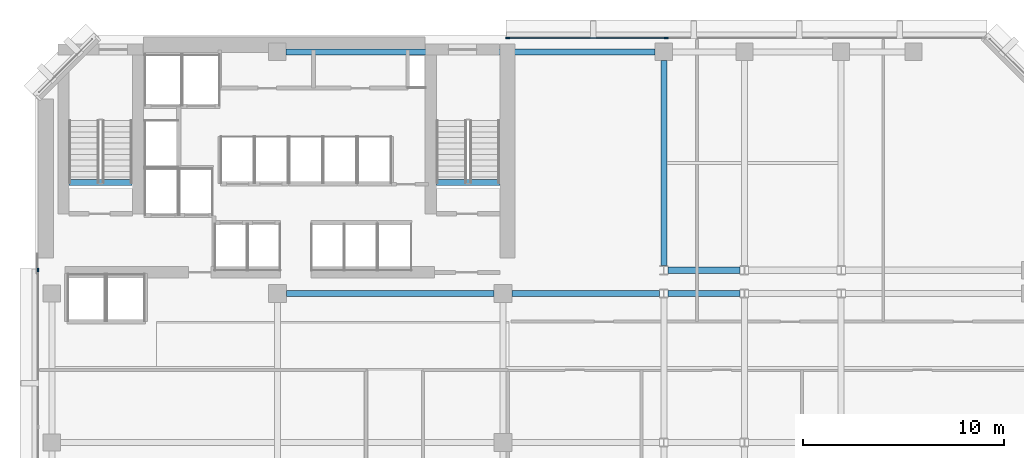
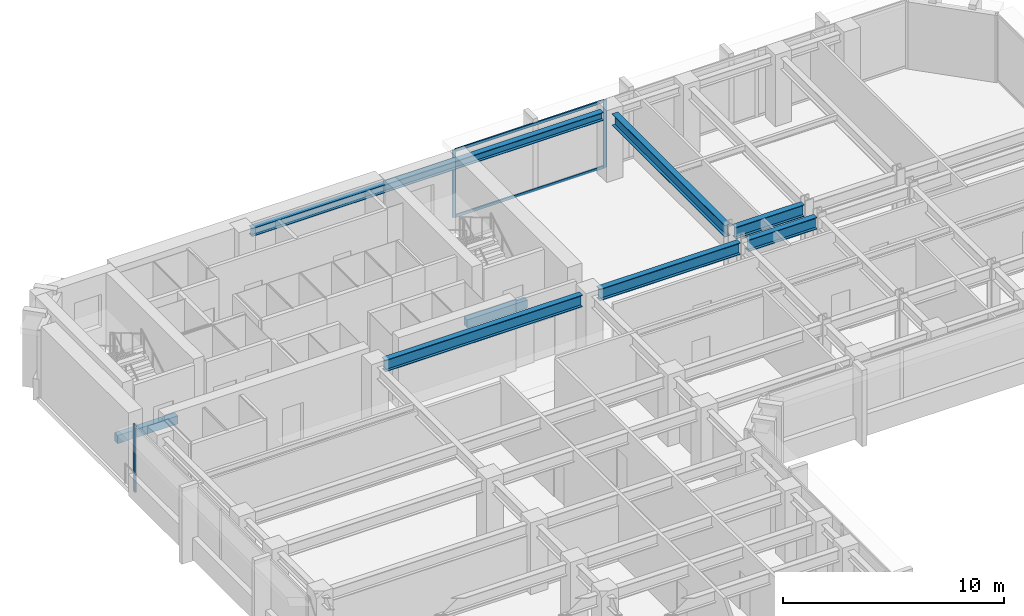
# One storey, part 4 of 12: 8 beams, 5 members, 2 elements without a shape of their own.
"""IFC4 building model written with IfcOpenShell, lengths in metres."""

from ifc_helpers import new_model, si_unit, direction, frame, origin, origin_2d, place, context, subcontext, project, spatial, rectangle, i_section, extrude, material, layer, layer_set, material_profile, profile_set, type_object, element, aggregate, save


model = new_model("IFC4")

# Units and contexts
model_context = context("Model", 3, precision=1e-05, world=origin(), true_north=direction((0.0, 1.0)))
body_context = subcontext(model_context, "Body", "Model", "MODEL_VIEW")
ifc_project = project(units=[si_unit("LENGTHUNIT", "METRE"), si_unit("AREAUNIT", "SQUARE_METRE"), si_unit("VOLUMEUNIT", "CUBIC_METRE"), si_unit("PLANEANGLEUNIT", "RADIAN"), si_unit("MASSUNIT", "GRAM", prefix="KILO")], contexts=[model_context])

# Site, building, storey
site_placement = place(None, origin())
site = spatial("IfcSite", under=ifc_project, at=site_placement, CompositionType="ELEMENT")
building_placement = place(site_placement, origin())
building = spatial("IfcBuilding", under=site, at=building_placement, Name="Kefirva Bronze Tower", CompositionType="ELEMENT")
storey_placement = place(building_placement, frame((0.0, 0.0, 122.429931640625)))
storey = spatial("IfcBuildingStorey", under=building, at=storey_placement, Name="L29", CompositionType="ELEMENT", Elevation=122.429931640625)

# Curtain wall, members
ifc_material_1 = material(Name="Bronze anodised aluminium", Category="aluminium")
ifc_layer = layer(ifc_material_1, 0.199951171875, Name="Bronze anodised aluminium")
ifc_layer_set = layer_set([ifc_layer], Name="Bronze anodised aluminium")
curtain_wall_type = type_object("IfcCurtainWallType", Name="Unitised Bronze Ribbon Curtain Wall Zone 2", PredefinedType="USERDEFINED", material=ifc_layer_set)
curtain_wall_1_placement = place(storey_placement, origin())
curtain_wall_1 = element("IfcCurtainWall", 1, at=curtain_wall_1_placement, inside=storey, type_object=curtain_wall_type, Name="L29 Curtain Wall 5", ObjectType="UNITISED CURTAIN WALL", PredefinedType="USERDEFINED")
ifc_material_profile_1 = material_profile(ifc_material_1, rectangle(XDim=0.074951171875, YDim=0.179931640625, at=origin_2d()), Name="ALU 75x180")
ifc_profile_set_1 = profile_set([ifc_material_profile_1], Name="Bronze anodised aluminium")
member_type_1 = type_object("IfcMemberType", Name="Bronze Mullion 75x180", PredefinedType="MULLION", material=ifc_profile_set_1)
member_1_placement = place(storey_placement, frame((31.318359375, 45.8798828125, 0.0), z_axis=(0.0, 0.0, 1.0), x_axis=(0.0, -1.0, 0.0)))
member_1 = element("IfcMember", 2, at=member_1_placement, type_object=member_type_1, Name="CW-02 mullion 3", PredefinedType="MULLION", context=body_context, shape_type="SweptSolid", body=[
    extrude(rectangle(XDim=0.074951171875, YDim=0.179931640625, at=origin_2d()), origin(), (0.0, 0.0, 1.0), 3.7099609375),
])
member_2_placement = place(storey_placement, frame((23.4423828125, 45.8798828125, 0.0), z_axis=(0.0, 0.0, 1.0), x_axis=(0.0, -1.0, 0.0)))
member_2 = element("IfcMember", 3, at=member_2_placement, type_object=member_type_1, Name="CW-02 mullion 4", PredefinedType="MULLION", context=body_context, shape_type="SweptSolid", body=[
    extrude(rectangle(XDim=0.074951171875, YDim=0.179931640625, at=origin_2d()), origin(), (0.0, 0.0, 1.0), 3.7099609375),
])

# Curtain wall, member
curtain_wall_2_placement = place(storey_placement, origin())
curtain_wall_2 = element("IfcCurtainWall", 4, at=curtain_wall_2_placement, inside=storey, type_object=curtain_wall_type, Name="L29 Curtain Wall 6", ObjectType="UNITISED CURTAIN WALL", PredefinedType="USERDEFINED")
member_3_placement = place(storey_placement, frame((0.1201171875, 34.357421875, 0.0), z_axis=(0.0, 0.0, 1.0), x_axis=(1.0, 0.0, 0.0)))
member_3 = element("IfcMember", 5, at=member_3_placement, type_object=member_type_1, Name="CW-02 mullion 1", PredefinedType="MULLION", context=body_context, shape_type="SweptSolid", body=[
    extrude(rectangle(XDim=0.074951171875, YDim=0.179931640625, at=origin_2d()), origin(), (0.0, 0.0, 1.0), 3.7099609375),
])
aggregate(curtain_wall_2, [member_3])

# Member
ifc_material_profile_2 = material_profile(ifc_material_1, rectangle(XDim=0.074951171875, YDim=0.14990234375, at=origin_2d()), Name="ALU 75x150")
ifc_profile_set_2 = profile_set([ifc_material_profile_2], Name="Bronze anodised aluminium")
member_type_2 = type_object("IfcMemberType", Name="Bronze Transom 75x150", PredefinedType="USERDEFINED", material=ifc_profile_set_2)
member_4_placement = place(storey_placement, frame((31.28076171875, 45.8798828125, 0.03759765625), z_axis=(-1.0, 0.0, 0.0), x_axis=(0.0, -1.0, 0.0)))
member_4 = element("IfcMember", 6, at=member_4_placement, type_object=member_type_2, Name="CW-02 transom 3.1", ObjectType="TRANSOM", PredefinedType="USERDEFINED", context=body_context, shape_type="SweptSolid", body=[
    extrude(rectangle(XDim=0.074951171875, YDim=0.14990234375, at=origin_2d()), origin(), (0.0, 0.0, 1.0), 7.80078125),
])

member_5_placement = place(storey_placement, frame((31.28076171875, 45.8798828125, 3.672607421875), z_axis=(-1.0, 0.0, 0.0), x_axis=(0.0, -1.0, 0.0)))
member_5 = element("IfcMember", 7, at=member_5_placement, type_object=member_type_2, Name="CW-02 transom 3.2", ObjectType="TRANSOM", PredefinedType="USERDEFINED", context=body_context, shape_type="SweptSolid", body=[
    extrude(rectangle(XDim=0.074951171875, YDim=0.14990234375, at=origin_2d()), origin(), (0.0, 0.0, 1.0), 7.80078125),
])

aggregate(curtain_wall_1, [member_1, member_2, member_4, member_5])

# Beams
ifc_material_2 = material(Name="Concrete C50/60", Category="concrete")
ifc_material_profile_3 = material_profile(ifc_material_2, rectangle(XDim=0.300048828125, YDim=0.449951171875, at=origin_2d()), Name="RC 300x450")
ifc_profile_set_3 = profile_set([ifc_material_profile_3], Name="Concrete C50/60")
beam_type_1 = type_object("IfcBeamType", Name="RC Stair Trimmer Beam 300x450", PredefinedType="BEAM", material=ifc_profile_set_3)
beam_1_placement = place(storey_placement, frame((1.64501953125, 38.699951171875, -0.224853515625), z_axis=(1.0, 0.0, 0.0), x_axis=(0.0, 1.0, 0.0)))
element("IfcBeam", 8, at=beam_1_placement, inside=storey, type_object=beam_type_1, Name="L29 Stair 1 Landing Trimmer Beam", PredefinedType="BEAM", context=body_context, shape_type="SweptSolid", body=[
    extrude(rectangle(XDim=0.300048828125, YDim=0.449951171875, at=origin_2d()), origin(), (0.0, 0.0, 1.0), 3.14990234375),
])
beam_2_placement = place(storey_placement, frame((19.89501953125, 38.699951171875, -0.224853515625), z_axis=(1.0, 0.0, 0.0), x_axis=(0.0, 1.0, 0.0)))
element("IfcBeam", 9, at=beam_2_placement, inside=storey, type_object=beam_type_1, Name="L29 Stair 2 Landing Trimmer Beam", PredefinedType="BEAM", context=body_context, shape_type="SweptSolid", body=[
    extrude(rectangle(XDim=0.300048828125, YDim=0.449951171875, at=origin_2d()), origin(), (0.0, 0.0, 1.0), 3.159912109375),
])
ifc_material_3 = material(Name="Steel S355", Category="steel")
ifc_material_profile_4 = material_profile(ifc_material_3, i_section(OverallWidth=0.300048828125, OverallDepth=0.64990234375, WebThickness=0.01611328125, FlangeThickness=0.031005859375, at=origin_2d()), Name="HEB 650")
ifc_profile_set_4 = profile_set([ifc_material_profile_4], Name="Steel S355")
beam_type_2 = type_object("IfcBeamType", Name="Steel Girder HEB 650", PredefinedType="USERDEFINED", material=ifc_profile_set_4)
beam_3_placement = place(storey_placement, frame((12.449951171875, 33.199951171875, 3.385009765625), z_axis=(1.0, 0.0, 0.0), x_axis=(0.0, 1.0, 0.0)))
element("IfcBeam", 10, at=beam_3_placement, inside=storey, type_object=beam_type_2, Name="L29 BM-L29-EW-12-332", ObjectType="GIRDER", PredefinedType="USERDEFINED", context=body_context, shape_type="SweptSolid", body=[
    extrude(i_section(OverallWidth=0.300048828125, OverallDepth=0.64990234375, WebThickness=0.01611328125, FlangeThickness=0.031005859375, at=origin_2d()), origin(), (0.0, 0.0, 1.0), 10.300048828125),
])
beam_4_placement = place(storey_placement, frame((23.64990234375, 33.199951171875, 3.385009765625), z_axis=(1.0, 0.0, 0.0), x_axis=(0.0, 1.0, 0.0)))
element("IfcBeam", 11, at=beam_4_placement, inside=storey, type_object=beam_type_2, Name="L29 BM-L29-EW-23-332", ObjectType="GIRDER", PredefinedType="USERDEFINED", context=body_context, shape_type="SweptSolid", body=[
    extrude(i_section(OverallWidth=0.300048828125, OverallDepth=0.64990234375, WebThickness=0.01611328125, FlangeThickness=0.031005859375, at=origin_2d()), origin(), (0.0, 0.0, 1.0), 7.341064453125),
])
for number, where, z_axis, x_axis, name in (
    (12, (31.408935546875, 33.199951171875, 3.385009765625), (1.0, 0.0, 0.0), (0.0, 1.0, 0.0), "L29 BM-L29-EW-31-332"),
    (13, (31.408935546875, 34.35009765625, 3.385009765625), (1.0, 0.0, 0.0), (0.0, 1.0, 0.0), "L29 BM-L29-EW-31-344"),
):
    element("IfcBeam", number, at=place(storey_placement, frame(where, z_axis=z_axis, x_axis=x_axis)), inside=storey, type_object=beam_type_2, Name=name, ObjectType="GIRDER", PredefinedType="USERDEFINED", context=body_context, shape_type="SweptSolid", body=[
        extrude(i_section(OverallWidth=0.300048828125, OverallDepth=0.64990234375, WebThickness=0.01611328125, FlangeThickness=0.031005859375, at=origin_2d()), origin(), (0.0, 0.0, 1.0), 3.58203125),
    ])
beam_5_placement = place(storey_placement, frame((31.199951171875, 34.577392578125, 3.385009765625), z_axis=(0.0, 1.0, 0.0), x_axis=(-1.0, 0.0, 0.0)))
element("IfcBeam", 14, at=beam_5_placement, inside=storey, type_object=beam_type_2, Name="L29 BM-L29-NS-312-34", ObjectType="GIRDER", PredefinedType="USERDEFINED", context=body_context, shape_type="SweptSolid", body=[
    extrude(i_section(OverallWidth=0.300048828125, OverallDepth=0.64990234375, WebThickness=0.01611328125, FlangeThickness=0.031005859375, at=origin_2d()), origin(), (0.0, 0.0, 1.0), 10.192626953125),
])
ifc_material_profile_5 = material_profile(ifc_material_3, i_section(OverallWidth=0.300048828125, OverallDepth=0.449951171875, WebThickness=0.013916015625, FlangeThickness=0.02587890625, at=origin_2d()), Name="HEB 450")
ifc_profile_set_5 = profile_set([ifc_material_profile_5], Name="Steel S355")
beam_type_3 = type_object("IfcBeamType", Name="Steel Spandrel HEB 450 Ext", PredefinedType="SPANDREL", material=ifc_profile_set_5)
beam_6_placement = place(storey_placement, frame((12.429931640625, 45.199951171875, 3.485107421875), z_axis=(1.0, 0.0, 0.0), x_axis=(0.0, 1.0, 0.0)))
element("IfcBeam", 15, at=beam_6_placement, inside=storey, type_object=beam_type_3, Name="L29 BM-L29-EW-12-452", PredefinedType="SPANDREL", context=body_context, shape_type="SweptSolid", body=[
    extrude(i_section(OverallWidth=0.300048828125, OverallDepth=0.449951171875, WebThickness=0.013916015625, FlangeThickness=0.02587890625, at=origin_2d()), origin(), (0.0, 0.0, 1.0), 18.340087890625),
])

save(model, "model.ifc")
